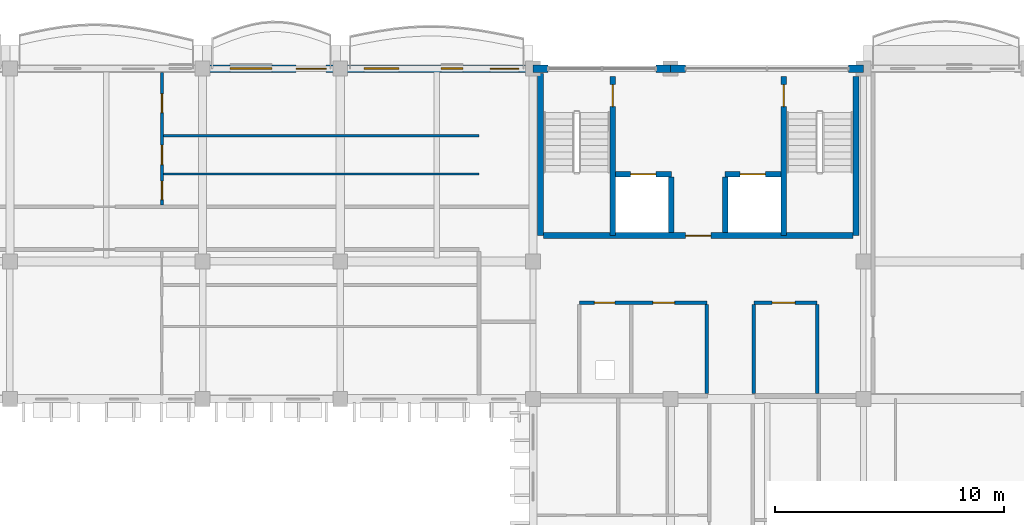
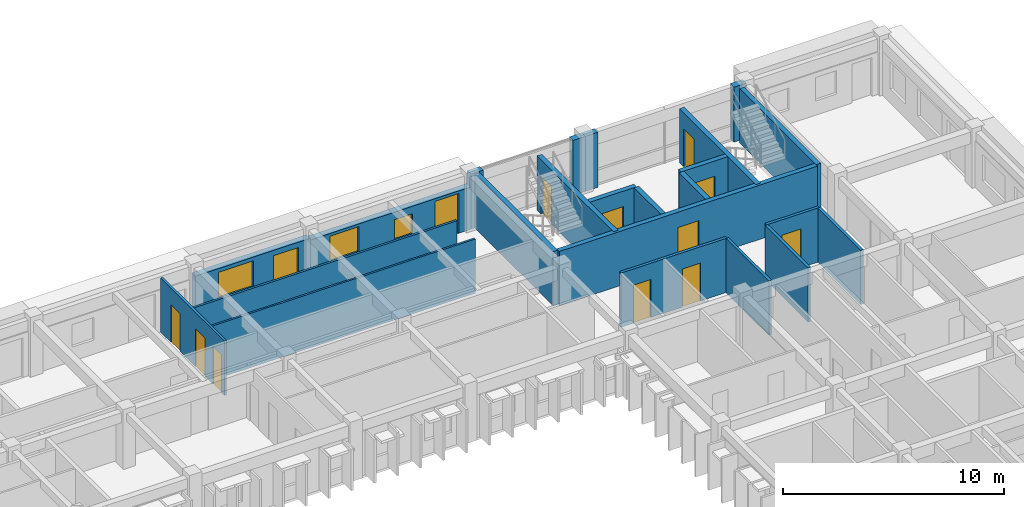
# One storey, part 38 of 70: 23 walls, 13 doors, 3 windows, 16 openings.
"""IFC4 building model written with IfcOpenShell, lengths in metres."""

from ifc_helpers import new_model, si_unit, direction, frame, frame_2d, origin, place, context, subcontext, project, spatial, rectangle, extrude, material, layer, layer_set, type_object, element, fill, save


model = new_model("IFC4")

# Units and contexts
model_context = context("Model", 3, precision=1e-05, world=origin(), true_north=direction((0.0, 1.0)))
body_context = subcontext(model_context, "Body", "Model", "MODEL_VIEW")
ifc_project = project(units=[si_unit("LENGTHUNIT", "METRE"), si_unit("AREAUNIT", "SQUARE_METRE"), si_unit("VOLUMEUNIT", "CUBIC_METRE"), si_unit("PLANEANGLEUNIT", "RADIAN"), si_unit("MASSUNIT", "GRAM", prefix="KILO"), si_unit("THERMODYNAMICTEMPERATUREUNIT", "KELVIN")], contexts=[model_context])

# Site, building, storey
site_placement = place(None, origin())
site = spatial("IfcSite", under=ifc_project, at=site_placement, CompositionType="ELEMENT")
building_placement = place(site_placement, origin())
building = spatial("IfcBuilding", under=site, at=building_placement, Name="Thalorik Housing Commons", CompositionType="ELEMENT")
storey_placement = place(building_placement, frame((0.0, 0.0, 14.699951171875)))
storey = spatial("IfcBuildingStorey", under=building, at=storey_placement, Name="L04", CompositionType="ELEMENT", Elevation=14.699951171875)

# Wall, opening, door
ifc_material_1 = material(Name="Concrete C40/50", Category="concrete")
ifc_layer_1 = layer(ifc_material_1, 0.25, Name="Concrete C40/50", Category="concrete")
ifc_layer_set_1 = layer_set([ifc_layer_1], Name="Concrete C40/50")
wall_type_1 = type_object("IfcWallType", Name="ARC-WAL-CORE-250", PredefinedType="SHEAR", material=ifc_layer_set_1)
wall_1_placement = place(storey_placement, frame((155.875, 123.25, 0.0), z_axis=(0.0, 0.0, 1.0), x_axis=(0.0, -1.0, 0.0)))
wall_1 = element("IfcWall", 1, at=wall_1_placement, inside=storey, type_object=wall_type_1, Name="L04 Core B Stair 1 Shear Wall", PredefinedType="SHEAR", context=body_context, shape_type="SweptSolid", body=[
    extrude(rectangle(XDim=6.925048828125, YDim=0.25, at=frame_2d((3.46240234375, 0.0))), origin(), (0.0, 0.0, 1.0), 3.0),
])
opening_1_placement = place(wall_1_placement, frame((0.35009765625, 0.0, 0.0)))
opening_1 = element("IfcOpeningElement", 2, at=opening_1_placement, cuts=wall_1, Name="Opening ID-0177", PredefinedType="OPENING", context=body_context, shape_type="SweptSolid", body=[
    extrude(rectangle(XDim=0.949951171875, YDim=2.10009765625, at=frame_2d((0.47509765625, 1.050048828125))), frame((0.0, 0.135009765625, 0.0), z_axis=(0.0, -1.0, 0.0), x_axis=(1.0, 0.0, 0.0)), (0.0, 0.0, 1.0), 0.27001953125),
])
ifc_material_2 = material(Name="Steel S355", Category="steel")
door_type_1 = type_object("IfcDoorType", Name="ARC-DR-FD60-950", OperationType="NOTDEFINED", PredefinedType="DOOR", material=ifc_material_2)
door_1_placement = place(opening_1_placement, origin())
door_1 = element("IfcDoor", 3, at=door_1_placement, inside=storey, type_object=door_type_1, Name="L04 Stair ST-B1 Fire Door", OperationType="SINGLE_SWING_RIGHT", OverallHeight=2.10009765625, OverallWidth=0.949951171875, PredefinedType="DOOR", context=body_context, shape_type="SweptSolid", body=[
    extrude(rectangle(XDim=0.949951171875, YDim=2.10009765625, at=frame_2d((0.47509765625, 1.050048828125))), frame((0.0, 0.02490234375, 0.0), z_axis=(0.0, -1.0, 0.0), x_axis=(1.0, 0.0, 0.0)), (0.0, 0.0, 1.0), 0.050048828125),
])
fill(opening_1, door_1)

# Walls
wall_2_placement = place(storey_placement, frame((152.72509765625, 123.39990234375, 0.0), z_axis=(0.0, 0.0, 1.0), x_axis=(0.0, -1.0, 0.0)))
element("IfcWall", 4, at=wall_2_placement, inside=storey, type_object=wall_type_1, Name="L04 Core B Stair 1 Outer Shear Wall", PredefinedType="SHEAR", context=body_context, shape_type="SweptSolid", body=[
    extrude(rectangle(XDim=7.074951171875, YDim=0.25, at=frame_2d((3.53759765625, 0.0))), origin(), (0.0, 0.0, 1.0), 3.0),
])
wall_3_placement = place(storey_placement, frame((166.47509765625, 123.25, 0.0), z_axis=(0.0, 0.0, 1.0), x_axis=(0.0, -1.0, 0.0)))
element("IfcWall", 5, at=wall_3_placement, inside=storey, type_object=wall_type_1, Name="L04 Core B Stair 2 Outer Shear Wall", PredefinedType="SHEAR", context=body_context, shape_type="SweptSolid", body=[
    extrude(rectangle(XDim=6.925048828125, YDim=0.25, at=frame_2d((3.46240234375, 0.0))), origin(), (0.0, 0.0, 1.0), 3.0),
])

# Wall, opening, door
wall_4_placement = place(storey_placement, frame((163.324951171875, 123.25, 0.0), z_axis=(0.0, 0.0, 1.0), x_axis=(0.0, -1.0, 0.0)))
wall_4 = element("IfcWall", 6, at=wall_4_placement, inside=storey, type_object=wall_type_1, Name="L04 Core B Stair 2 Shear Wall", PredefinedType="SHEAR", context=body_context, shape_type="SweptSolid", body=[
    extrude(rectangle(XDim=6.925048828125, YDim=0.25, at=frame_2d((3.46240234375, 0.0))), origin(), (0.0, 0.0, 1.0), 3.0),
])
opening_2_placement = place(wall_4_placement, frame((0.35009765625, 0.0, 0.0)))
opening_2 = element("IfcOpeningElement", 7, at=opening_2_placement, cuts=wall_4, Name="Opening ID-0178", PredefinedType="OPENING", context=body_context, shape_type="SweptSolid", body=[
    extrude(rectangle(XDim=0.949951171875, YDim=2.10009765625, at=frame_2d((0.47509765625, 1.050048828125))), frame((0.0, 0.135009765625, 0.0), z_axis=(0.0, -1.0, 0.0), x_axis=(1.0, 0.0, 0.0)), (0.0, 0.0, 1.0), 0.27001953125),
])
door_2_placement = place(opening_2_placement, origin())
door_2 = element("IfcDoor", 8, at=door_2_placement, inside=storey, type_object=door_type_1, Name="L04 Stair ST-B2 Fire Door", OperationType="SINGLE_SWING_LEFT", OverallHeight=2.10009765625, OverallWidth=0.949951171875, PredefinedType="DOOR", context=body_context, shape_type="SweptSolid", body=[
    extrude(rectangle(XDim=0.949951171875, YDim=2.10009765625, at=frame_2d((0.47509765625, 1.050048828125))), frame((0.0, 0.02490234375, 0.0), z_axis=(0.0, -1.0, 0.0), x_axis=(1.0, 0.0, 0.0)), (0.0, 0.0, 1.0), 0.050048828125),
])
fill(opening_2, door_2)

wall_5_placement = place(storey_placement, frame((156.0, 119.0, 0.0), z_axis=(0.0, 0.0, 1.0), x_axis=(1.0, 0.0, 0.0)))
wall_5 = element("IfcWall", 9, at=wall_5_placement, inside=storey, type_object=wall_type_1, Name="L04 Lift LF-B1 Front Shaft Wall", PredefinedType="SHEAR", context=body_context, shape_type="SweptSolid", body=[
    extrude(rectangle(XDim=2.425048828125, YDim=0.25, at=frame_2d((1.21240234375, 0.0))), origin(), (0.0, 0.0, 1.0), 3.0),
])
opening_3_placement = place(wall_5_placement, frame((0.64990234375, 0.0, 0.0)))
opening_3 = element("IfcOpeningElement", 10, at=opening_3_placement, cuts=wall_5, Name="Opening LD-LF-B1-L04", PredefinedType="OPENING", context=body_context, shape_type="SweptSolid", body=[
    extrude(rectangle(XDim=1.10009765625, YDim=2.14990234375, at=frame_2d((0.550048828125, 1.074951171875))), frame((0.0, 0.135009765625, 0.0), z_axis=(0.0, -1.0, 0.0), x_axis=(1.0, 0.0, 0.0)), (0.0, 0.0, 1.0), 0.27001953125),
])
door_type_2 = type_object("IfcDoorType", Name="ARC-DR-LIFT-1100", OperationType="NOTDEFINED", PredefinedType="DOOR", material=ifc_material_2)
door_3_placement = place(opening_3_placement, origin())
door_3 = element("IfcDoor", 11, at=door_3_placement, inside=storey, type_object=door_type_2, Name="L04 Lift LF-B1 Landing Door", OperationType="SLIDING_TO_LEFT", OverallHeight=2.14990234375, OverallWidth=1.10009765625, PredefinedType="DOOR", context=body_context, shape_type="SweptSolid", body=[
    extrude(rectangle(XDim=1.10009765625, YDim=2.14990234375, at=frame_2d((0.550048828125, 1.074951171875))), frame((0.0, 0.02490234375, 0.0), z_axis=(0.0, -1.0, 0.0), x_axis=(1.0, 0.0, 0.0)), (0.0, 0.0, 1.0), 0.050048828125),
])
fill(opening_3, door_3)

wall_6_placement = place(storey_placement, frame((160.77490234375, 119.0, 0.0), z_axis=(0.0, 0.0, 1.0), x_axis=(1.0, 0.0, 0.0)))
wall_6 = element("IfcWall", 12, at=wall_6_placement, inside=storey, type_object=wall_type_1, Name="L04 Lift LP-B2 Front Shaft Wall", PredefinedType="SHEAR", context=body_context, shape_type="SweptSolid", body=[
    extrude(rectangle(XDim=2.425048828125, YDim=0.25, at=frame_2d((1.21240234375, 0.0))), origin(), (0.0, 0.0, 1.0), 3.0),
])
opening_4_placement = place(wall_6_placement, frame((0.64990234375, 0.0, 0.0)))
opening_4 = element("IfcOpeningElement", 13, at=opening_4_placement, cuts=wall_6, Name="Opening LD-LP-B2-L04", PredefinedType="OPENING", context=body_context, shape_type="SweptSolid", body=[
    extrude(rectangle(XDim=1.10009765625, YDim=2.14990234375, at=frame_2d((0.550048828125, 1.074951171875))), frame((0.0, 0.135009765625, 0.0), z_axis=(0.0, -1.0, 0.0), x_axis=(1.0, 0.0, 0.0)), (0.0, 0.0, 1.0), 0.27001953125),
])
door_4_placement = place(opening_4_placement, origin())
door_4 = element("IfcDoor", 14, at=door_4_placement, inside=storey, type_object=door_type_2, Name="L04 Lift LP-B2 Landing Door", OperationType="SLIDING_TO_LEFT", OverallHeight=2.14990234375, OverallWidth=1.10009765625, PredefinedType="DOOR", context=body_context, shape_type="SweptSolid", body=[
    extrude(rectangle(XDim=1.10009765625, YDim=2.14990234375, at=frame_2d((0.550048828125, 1.074951171875))), frame((0.0, 0.02490234375, 0.0), z_axis=(0.0, -1.0, 0.0), x_axis=(1.0, 0.0, 0.0)), (0.0, 0.0, 1.0), 0.050048828125),
])
fill(opening_4, door_4)

# Walls
for number, where, z_axis, x_axis, name in (
    (15, (158.425048828125, 118.875, 0.0), (0.0, 0.0, 1.0), (0.0, -1.0, 0.0), "L04 Lift 1 Cheek Wall"),
    (16, (160.77490234375, 118.875, 0.0), (0.0, 0.0, 1.0), (0.0, -1.0, 0.0), "L04 Lift 2 Cheek Wall"),
):
    element("IfcWall", number, at=place(storey_placement, frame(where, z_axis=z_axis, x_axis=x_axis)), inside=storey, type_object=wall_type_1, Name=name, PredefinedType="SHEAR", context=body_context, shape_type="SweptSolid", body=[
        extrude(rectangle(XDim=2.425048828125, YDim=0.25, at=frame_2d((1.21240234375, 0.0))), origin(), (0.0, 0.0, 1.0), 3.0),
    ])

# Wall, opening, door
wall_7_placement = place(storey_placement, frame((152.85009765625, 116.324951171875, 0.0), z_axis=(0.0, 0.0, 1.0), x_axis=(1.0, 0.0, 0.0)))
wall_7 = element("IfcWall", 17, at=wall_7_placement, inside=storey, type_object=wall_type_1, Name="L04 Core B Spine Shear Wall", PredefinedType="SHEAR", context=body_context, shape_type="SweptSolid", body=[
    extrude(rectangle(XDim=13.5, YDim=0.25, at=frame_2d((6.75, 0.0))), origin(), (0.0, 0.0, 1.0), 3.0),
])
opening_5_placement = place(wall_7_placement, frame((6.199951171875, 0.0, 0.0)))
opening_5 = element("IfcOpeningElement", 18, at=opening_5_placement, cuts=wall_7, Name="Opening ID-0181", PredefinedType="OPENING", context=body_context, shape_type="SweptSolid", body=[
    extrude(rectangle(XDim=1.10009765625, YDim=2.14990234375, at=frame_2d((0.550048828125, 1.074951171875))), frame((0.0, 0.135009765625, 0.0), z_axis=(0.0, -1.0, 0.0), x_axis=(1.0, 0.0, 0.0)), (0.0, 0.0, 1.0), 0.27001953125),
])
door_type_3 = type_object("IfcDoorType", Name="ARC-DR-FD60-1100", OperationType="NOTDEFINED", PredefinedType="DOOR", material=ifc_material_2)
door_5_placement = place(opening_5_placement, origin())
door_5 = element("IfcDoor", 19, at=door_5_placement, inside=storey, type_object=door_type_3, Name="L04 Core B Lobby Fire Door", OperationType="SINGLE_SWING_RIGHT", OverallHeight=2.14990234375, OverallWidth=1.10009765625, PredefinedType="DOOR", context=body_context, shape_type="SweptSolid", body=[
    extrude(rectangle(XDim=1.10009765625, YDim=2.14990234375, at=frame_2d((0.550048828125, 1.074951171875))), frame((0.0, 0.02490234375, 0.0), z_axis=(0.0, -1.0, 0.0), x_axis=(1.0, 0.0, 0.0)), (0.0, 0.0, 1.0), 0.050048828125),
])
fill(opening_5, door_5)

# Walls
ifc_material_3 = material(Name="White precast concrete C40/50", Category="concrete")
ifc_layer_2 = layer(ifc_material_3, 0.3349609375, Name="White precast concrete C40/50", Category="concrete")
ifc_layer_set_2 = layer_set([ifc_layer_2], Name="White precast concrete C40/50")
wall_type_2 = type_object("IfcWallType", Name="ARC-WAL-EXT-335", PredefinedType="STANDARD", material=ifc_layer_set_2)
for number, where, z_axis, x_axis, name in (
    (20, (166.800048828125, 123.60009765625, 0.0), (0.0, 0.0, 1.0), (-1.0, 0.0, 0.0), "L04 Exterior Wall WAL-PIERL-L04-B-0524"),
    (21, (159.050048828125, 123.60009765625, 0.0), (0.0, 0.0, 1.0), (-1.0, 0.0, 0.0), "L04 Exterior Wall WAL-PIERR-L04-B-0524"),
):
    element("IfcWall", number, at=place(storey_placement, frame(where, z_axis=z_axis, x_axis=x_axis)), inside=storey, type_object=wall_type_2, Name=name, PredefinedType="STANDARD", context=body_context, shape_type="SweptSolid", body=[
        extrude(rectangle(XDim=0.650146484375, YDim=0.3349609375, at=frame_2d((0.3251953125, 0.0))), origin(), (0.0, 0.0, 1.0), 3.0400390625),
    ])
wall_8_placement = place(storey_placement, frame((158.39990234375, 123.60009765625, 0.0), z_axis=(0.0, 0.0, 1.0), x_axis=(-1.0, 0.0, 0.0)))
element("IfcWall", 22, at=wall_8_placement, inside=storey, type_object=wall_type_2, Name="L04 Exterior Wall WAL-PIERL-L04-B-0525", PredefinedType="STANDARD", context=body_context, shape_type="SweptSolid", body=[
    extrude(rectangle(XDim=0.64990234375, YDim=0.3349609375, at=frame_2d((0.324951171875, 0.0))), origin(), (0.0, 0.0, 1.0), 3.0400390625),
])
wall_9_placement = place(storey_placement, frame((153.050048828125, 123.60009765625, 0.0), z_axis=(0.0, 0.0, 1.0), x_axis=(-1.0, 0.0, 0.0)))
element("IfcWall", 23, at=wall_9_placement, inside=storey, type_object=wall_type_2, Name="L04 Exterior Wall WAL-PIERR-L04-B-0525", PredefinedType="STANDARD", context=body_context, shape_type="SweptSolid", body=[
    extrude(rectangle(XDim=0.650146484375, YDim=0.3349609375, at=frame_2d((0.3251953125, 0.0))), origin(), (0.0, 0.0, 1.0), 3.0400390625),
])

# Wall, openings, door, windows
wall_10_placement = place(storey_placement, frame((152.39990234375, 123.60009765625, 0.0), z_axis=(0.0, 0.0, 1.0), x_axis=(-1.0, 0.0, 0.0)))
wall_10 = element("IfcWall", 24, at=wall_10_placement, inside=storey, type_object=wall_type_2, Name="L04 Exterior Wall WAL-EXT-L04-B-0526", PredefinedType="STANDARD", context=body_context, shape_type="SweptSolid", body=[
    extrude(rectangle(XDim=8.39990234375, YDim=0.3349609375, at=frame_2d((4.199951171875, 0.0))), origin(), (0.0, 0.0, 1.0), 2.344970703125),
])
opening_6_placement = place(wall_10_placement, frame((0.6201171875, 0.0, 0.0)))
opening_6 = element("IfcOpeningElement", 25, at=opening_6_placement, cuts=wall_10, Name="Opening ED-0160", PredefinedType="OPENING", context=body_context, shape_type="SweptSolid", body=[
    extrude(rectangle(XDim=1.25, YDim=2.199951171875, at=frame_2d((0.625, 1.10009765625))), frame((0.0, 0.177490234375, 0.0), z_axis=(0.0, -1.0, 0.0), x_axis=(1.0, 0.0, 0.0)), (0.0, 0.0, 1.0), 0.35498046875),
])
opening_7_placement = place(wall_10_placement, frame((3.052490234375, 0.0, 0.780029296875)))
opening_7 = element("IfcOpeningElement", 26, at=opening_7_placement, cuts=wall_10, Name="Opening W-43", PredefinedType="OPENING", context=body_context, shape_type="SweptSolid", body=[
    extrude(rectangle(XDim=0.949951171875, YDim=1.14990234375, at=frame_2d((0.47509765625, 0.574951171875))), frame((0.0, 0.177490234375, 0.0), z_axis=(0.0, -1.0, 0.0), x_axis=(1.0, 0.0, 0.0)), (0.0, 0.0, 1.0), 0.35498046875),
])
opening_8_placement = place(wall_10_placement, frame((5.842529296875, 0.0, 0.780029296875)))
opening_8 = element("IfcOpeningElement", 27, at=opening_8_placement, cuts=wall_10, Name="Opening W-52", PredefinedType="OPENING", context=body_context, shape_type="SweptSolid", body=[
    extrude(rectangle(XDim=1.52001953125, YDim=1.419921875, at=frame_2d((0.760009765625, 0.7099609375))), frame((0.0, 0.177490234375, 0.0), z_axis=(0.0, -1.0, 0.0), x_axis=(1.0, 0.0, 0.0)), (0.0, 0.0, 1.0), 0.35498046875),
])
ifc_material_4 = material(Name="Anodised aluminium and laminated safety glass", Category="aluminium")
door_type_4 = type_object("IfcDoorType", Name="ARC-DR-BAL-1250", OperationType="NOTDEFINED", PredefinedType="DOOR", material=ifc_material_4)
door_6_placement = place(opening_6_placement, frame((1.25, 0.0, 0.0), z_axis=(0.0, 0.0, 1.0), x_axis=(-1.0, 0.0, 0.0)))
door_6 = element("IfcDoor", 28, at=door_6_placement, inside=storey, type_object=door_type_4, Name="L04 Block B Balcony Glazed Door", OperationType="SINGLE_SWING_LEFT", OverallHeight=2.199951171875, OverallWidth=1.25, PredefinedType="DOOR", context=body_context, shape_type="SweptSolid", body=[
    extrude(rectangle(XDim=1.25, YDim=2.199951171875, at=frame_2d((0.625, 1.10009765625))), frame((0.0, 0.02490234375, 0.0), z_axis=(0.0, -1.0, 0.0), x_axis=(1.0, 0.0, 0.0)), (0.0, 0.0, 1.0), 0.050048828125),
])
fill(opening_6, door_6)
ifc_material_5 = material(Name="Anodised aluminium and solar-control low-E glass", Category="aluminium")
window_type_1 = type_object("IfcWindowType", Name="ARC-WIN-43", PartitioningType="SINGLE_PANEL", PredefinedType="WINDOW", material=ifc_material_5)
window_1_placement = place(opening_7_placement, origin())
window_1 = element("IfcWindow", 29, at=window_1_placement, inside=storey, type_object=window_type_1, Name="L04 Facade Window 944", OverallHeight=1.14990234375, OverallWidth=0.949951171875, PartitioningType="SINGLE_PANEL", PredefinedType="WINDOW", context=body_context, shape_type="SweptSolid", body=[
    extrude(rectangle(XDim=0.949951171875, YDim=1.14990234375, at=frame_2d((0.47509765625, 0.574951171875))), frame((0.0, 0.030029296875, 0.0), z_axis=(0.0, -1.0, 0.0), x_axis=(1.0, 0.0, 0.0)), (0.0, 0.0, 1.0), 0.06005859375),
])
fill(opening_7, window_1)
window_type_2 = type_object("IfcWindowType", Name="ARC-WIN-52", PartitioningType="SINGLE_PANEL", PredefinedType="WINDOW", material=ifc_material_5)
window_2_placement = place(opening_8_placement, origin())
window_2 = element("IfcWindow", 30, at=window_2_placement, inside=storey, type_object=window_type_2, Name="L04 Facade Window 945", OverallHeight=1.419921875, OverallWidth=1.52001953125, PartitioningType="SINGLE_PANEL", PredefinedType="WINDOW", context=body_context, shape_type="SweptSolid", body=[
    extrude(rectangle(XDim=1.52001953125, YDim=1.419921875, at=frame_2d((0.760009765625, 0.7099609375))), frame((0.0, 0.030029296875, 0.0), z_axis=(0.0, -1.0, 0.0), x_axis=(1.0, 0.0, 0.0)), (0.0, 0.0, 1.0), 0.06005859375),
])
fill(opening_8, window_2)

# Wall, openings, door, window
wall_11_placement = place(storey_placement, frame((144.0, 123.60009765625, 0.0), z_axis=(0.0, 0.0, 1.0), x_axis=(-1.0, 0.0, 0.0)))
wall_11 = element("IfcWall", 31, at=wall_11_placement, inside=storey, type_object=wall_type_2, Name="L04 Exterior Wall WAL-EXT-L04-B-0527", PredefinedType="STANDARD", context=body_context, shape_type="SweptSolid", body=[
    extrude(rectangle(XDim=6.0, YDim=0.3349609375, at=frame_2d((3.0, 0.0))), origin(), (0.0, 0.0, 1.0), 2.445068359375),
])
opening_9_placement = place(wall_11_placement, frame((0.6201171875, 0.0, 0.0)))
opening_9 = element("IfcOpeningElement", 32, at=opening_9_placement, cuts=wall_11, Name="Opening ED-0161", PredefinedType="OPENING", context=body_context, shape_type="SweptSolid", body=[
    extrude(rectangle(XDim=1.300048828125, YDim=2.14990234375, at=frame_2d((0.64990234375, 1.074951171875))), frame((0.0, 0.177490234375, 0.0), z_axis=(0.0, -1.0, 0.0), x_axis=(1.0, 0.0, 0.0)), (0.0, 0.0, 1.0), 0.35498046875),
])
opening_10_placement = place(wall_11_placement, frame((2.97998046875, 0.0, 0.780029296875)))
opening_10 = element("IfcOpeningElement", 33, at=opening_10_placement, cuts=wall_11, Name="Opening W-58", PredefinedType="OPENING", context=body_context, shape_type="SweptSolid", body=[
    extrude(rectangle(XDim=1.820068359375, YDim=1.4599609375, at=frame_2d((0.91015625, 0.72998046875))), frame((0.0, 0.177490234375, 0.0), z_axis=(0.0, -1.0, 0.0), x_axis=(1.0, 0.0, 0.0)), (0.0, 0.0, 1.0), 0.35498046875),
])
door_type_5 = type_object("IfcDoorType", Name="ARC-DR-BAL-1300", OperationType="NOTDEFINED", PredefinedType="DOOR", material=ifc_material_4)
door_7_placement = place(opening_9_placement, frame((1.300048828125, 0.0, 0.0), z_axis=(0.0, 0.0, 1.0), x_axis=(-1.0, 0.0, 0.0)))
door_7 = element("IfcDoor", 34, at=door_7_placement, inside=storey, type_object=door_type_5, Name="L04 Block B Balcony Glazed Door", OperationType="SINGLE_SWING_RIGHT", OverallHeight=2.14990234375, OverallWidth=1.300048828125, PredefinedType="DOOR", context=body_context, shape_type="SweptSolid", body=[
    extrude(rectangle(XDim=1.300048828125, YDim=2.14990234375, at=frame_2d((0.64990234375, 1.074951171875))), frame((0.0, 0.02490234375, 0.0), z_axis=(0.0, -1.0, 0.0), x_axis=(1.0, 0.0, 0.0)), (0.0, 0.0, 1.0), 0.050048828125),
])
fill(opening_9, door_7)
window_type_3 = type_object("IfcWindowType", Name="ARC-WIN-58", PartitioningType="DOUBLE_PANEL_VERTICAL", PredefinedType="WINDOW", material=ifc_material_5)
window_3_placement = place(opening_10_placement, origin())
window_3 = element("IfcWindow", 35, at=window_3_placement, inside=storey, type_object=window_type_3, Name="L04 Facade Window 946", OverallHeight=1.4599609375, OverallWidth=1.820068359375, PartitioningType="DOUBLE_PANEL_VERTICAL", PredefinedType="WINDOW", context=body_context, shape_type="SweptSolid", body=[
    extrude(rectangle(XDim=1.820068359375, YDim=1.4599609375, at=frame_2d((0.91015625, 0.72998046875))), frame((0.0, 0.030029296875, 0.0), z_axis=(0.0, -1.0, 0.0), x_axis=(1.0, 0.0, 0.0)), (0.0, 0.0, 1.0), 0.06005859375),
])
fill(opening_10, window_3)

# Walls
ifc_material_6 = material(Name="Gypsum light stud partition", Category="masonry")
ifc_layer_3 = layer(ifc_material_6, 0.10009765625, Name="Gypsum light stud partition", Category="masonry")
ifc_layer_set_3 = layer_set([ifc_layer_3], Name="Gypsum light stud partition")
wall_type_3 = type_object("IfcWallType", Name="ARC-WAL-PART-100", PredefinedType="PARTITIONING", material=ifc_layer_set_3)
wall_12_placement = place(storey_placement, frame((136.29638671875, 119.010498046875, 0.0), z_axis=(0.0, 0.0, 1.0), x_axis=(1.0, 0.0, 0.0)))
element("IfcWall", 36, at=wall_12_placement, inside=storey, type_object=wall_type_3, Name="L04 Unit 3B Wet Wall", PredefinedType="PARTITIONING", context=body_context, shape_type="SweptSolid", body=[
    extrude(rectangle(XDim=13.753662109375, YDim=0.10009765625, at=frame_2d((6.876953125, 0.0))), origin(), (0.0, 0.0, 1.0), 3.0),
])
ifc_material_7 = material(Name="Gypsum moisture-resistant partition", Category="masonry")
ifc_layer_4 = layer(ifc_material_7, 0.114990234375, Name="Gypsum moisture-resistant partition", Category="masonry")
ifc_layer_set_4 = layer_set([ifc_layer_4], Name="Gypsum moisture-resistant partition")
wall_type_4 = type_object("IfcWallType", Name="ARC-WAL-PART-115", PredefinedType="PARTITIONING", material=ifc_layer_set_4)
wall_13_placement = place(storey_placement, frame((136.29638671875, 120.67919921875, 0.0), z_axis=(0.0, 0.0, 1.0), x_axis=(1.0, 0.0, 0.0)))
element("IfcWall", 37, at=wall_13_placement, inside=storey, type_object=wall_type_4, Name="L04 Unit 3B Bedroom Partition", PredefinedType="PARTITIONING", context=body_context, shape_type="SweptSolid", body=[
    extrude(rectangle(XDim=13.753662109375, YDim=0.114990234375, at=frame_2d((6.876953125, 0.0))), origin(), (0.0, 0.0, 1.0), 3.0),
])

# Wall, openings, doors
ifc_material_8 = material(Name="Gypsum acoustic stud partition", Category="masonry")
ifc_layer_5 = layer(ifc_material_8, 0.125, Name="Gypsum acoustic stud partition", Category="masonry")
ifc_layer_set_5 = layer_set([ifc_layer_5], Name="Gypsum acoustic stud partition")
wall_type_5 = type_object("IfcWallType", Name="ARC-WAL-PART-125", PredefinedType="PARTITIONING", material=ifc_layer_set_5)
wall_14_placement = place(storey_placement, frame((136.23193359375, 117.656982421875, 0.0), z_axis=(0.0, 0.0, 1.0), x_axis=(0.0, 1.0, 0.0)))
wall_14 = element("IfcWall", 38, at=wall_14_placement, inside=storey, type_object=wall_type_5, Name="L04 Unit 3B Spine Partition", PredefinedType="PARTITIONING", context=body_context, shape_type="SweptSolid", body=[
    extrude(rectangle(XDim=5.7734375, YDim=0.125, at=frame_2d((2.88671875, 0.0))), origin(), (0.0, 0.0, 1.0), 3.0),
])
opening_11_placement = place(wall_14_placement, frame((0.23828125, 0.0, 0.0)))
opening_11 = element("IfcOpeningElement", 39, at=opening_11_placement, cuts=wall_14, Name="Opening ID-1138", PredefinedType="OPENING", context=body_context, shape_type="SweptSolid", body=[
    extrude(rectangle(XDim=0.800048828125, YDim=2.10009765625, at=frame_2d((0.39990234375, 1.050048828125))), frame((0.0, 0.072509765625, 0.0), z_axis=(0.0, -1.0, 0.0), x_axis=(1.0, 0.0, 0.0)), (0.0, 0.0, 1.0), 0.14501953125),
])
opening_12_placement = place(wall_14_placement, frame((1.7626953125, 0.0, 0.0)))
opening_12 = element("IfcOpeningElement", 40, at=opening_12_placement, cuts=wall_14, Name="Opening ID-1139", PredefinedType="OPENING", context=body_context, shape_type="SweptSolid", body=[
    extrude(rectangle(XDim=0.85009765625, YDim=2.10009765625, at=frame_2d((0.425048828125, 1.050048828125))), frame((0.0, 0.072509765625, 0.0), z_axis=(0.0, -1.0, 0.0), x_axis=(1.0, 0.0, 0.0)), (0.0, 0.0, 1.0), 0.14501953125),
])
opening_13_placement = place(wall_14_placement, frame((4.027587890625, 0.0, 0.0)))
opening_13 = element("IfcOpeningElement", 41, at=opening_13_placement, cuts=wall_14, Name="Opening ID-1140", PredefinedType="OPENING", context=body_context, shape_type="SweptSolid", body=[
    extrude(rectangle(XDim=0.820068359375, YDim=2.080078125, at=frame_2d((0.41015625, 1.0400390625))), frame((0.0, 0.072509765625, 0.0), z_axis=(0.0, -1.0, 0.0), x_axis=(1.0, 0.0, 0.0)), (0.0, 0.0, 1.0), 0.14501953125),
])
ifc_material_9 = material(Name="Moisture-resistant timber", Category="wood")
door_type_6 = type_object("IfcDoorType", Name="ARC-DR-INT-800", OperationType="NOTDEFINED", PredefinedType="DOOR", material=ifc_material_9)
door_8_placement = place(opening_11_placement, origin())
door_8 = element("IfcDoor", 42, at=door_8_placement, inside=storey, type_object=door_type_6, Name="L04 Accessible Bathroom Door", OperationType="SINGLE_SWING_LEFT", OverallHeight=2.10009765625, OverallWidth=0.800048828125, PredefinedType="DOOR", context=body_context, shape_type="SweptSolid", body=[
    extrude(rectangle(XDim=0.800048828125, YDim=2.10009765625, at=frame_2d((0.39990234375, 1.050048828125))), frame((0.0, 0.02490234375, 0.0), z_axis=(0.0, -1.0, 0.0), x_axis=(1.0, 0.0, 0.0)), (0.0, 0.0, 1.0), 0.050048828125),
])
fill(opening_11, door_8)
ifc_material_10 = material(Name="Engineered oak timber", Category="wood")
door_type_7 = type_object("IfcDoorType", Name="ARC-DR-INT-820", OperationType="NOTDEFINED", PredefinedType="DOOR", material=ifc_material_10)
door_9_placement = place(opening_13_placement, origin())
door_9 = element("IfcDoor", 43, at=door_9_placement, inside=storey, type_object=door_type_7, Name="L04 Double Bedroom Door", OperationType="SINGLE_SWING_LEFT", OverallHeight=2.080078125, OverallWidth=0.820068359375, PredefinedType="DOOR", context=body_context, shape_type="SweptSolid", body=[
    extrude(rectangle(XDim=0.820068359375, YDim=2.080078125, at=frame_2d((0.41015625, 1.0400390625))), frame((0.0, 0.02490234375, 0.0), z_axis=(0.0, -1.0, 0.0), x_axis=(1.0, 0.0, 0.0)), (0.0, 0.0, 1.0), 0.050048828125),
])
fill(opening_13, door_9)
door_type_8 = type_object("IfcDoorType", Name="ARC-DR-INT-850", OperationType="NOTDEFINED", PredefinedType="DOOR", material=ifc_material_10)
door_10_placement = place(opening_12_placement, origin())
door_10 = element("IfcDoor", 44, at=door_10_placement, inside=storey, type_object=door_type_8, Name="L04 Eat-In Kitchen Door", OperationType="SINGLE_SWING_RIGHT", OverallHeight=2.10009765625, OverallWidth=0.85009765625, PredefinedType="DOOR", context=body_context, shape_type="SweptSolid", body=[
    extrude(rectangle(XDim=0.85009765625, YDim=2.10009765625, at=frame_2d((0.425048828125, 1.050048828125))), frame((0.0, 0.02490234375, 0.0), z_axis=(0.0, -1.0, 0.0), x_axis=(1.0, 0.0, 0.0)), (0.0, 0.0, 1.0), 0.050048828125),
])
fill(opening_12, door_10)

# Walls
ifc_material_11 = material(Name="Ceramic masonry partition wall", Category="masonry")
ifc_layer_6 = layer(ifc_material_11, 0.14794921875, Name="Ceramic masonry partition wall", Category="masonry")
ifc_layer_set_6 = layer_set([ifc_layer_6], Name="Ceramic masonry partition wall")
wall_type_6 = type_object("IfcWallType", Name="ARC-WAL-PART-150", PredefinedType="PARTITIONING", material=ifc_layer_set_6)
wall_15_placement = place(storey_placement, frame((159.97509765625, 113.323974609375, 0.0), z_axis=(0.0, 0.0, 1.0), x_axis=(0.0, -1.0, 0.0)))
element("IfcWall", 45, at=wall_15_placement, inside=storey, type_object=wall_type_6, Name="Core Stem West Cheek Wall", PredefinedType="PARTITIONING", context=body_context, shape_type="SweptSolid", body=[
    extrude(rectangle(XDim=3.882080078125, YDim=0.14794921875, at=frame_2d((1.94091796875, 0.0))), origin(), (0.0, 0.0, 1.0), 3.0),
])
for number, where, z_axis, x_axis, name in (
    (46, (162.02490234375, 113.323974609375, 0.0), (0.0, 0.0, 1.0), (0.0, -1.0, 0.0), "Core Stem East Cheek Wall"),
    (47, (164.780029296875, 113.323974609375, 0.0), (0.0, 0.0, 1.0), (0.0, -1.0, 0.0), "Core East Enclosing Wall"),
):
    element("IfcWall", number, at=place(storey_placement, frame(where, z_axis=z_axis, x_axis=x_axis)), inside=storey, type_object=wall_type_6, Name=name, PredefinedType="PARTITIONING", context=body_context, shape_type="SweptSolid", body=[
        extrude(rectangle(XDim=3.8720703125, YDim=0.14794921875, at=frame_2d((1.93603515625, 0.0))), origin(), (0.0, 0.0, 1.0), 3.0),
    ])

# Wall, openings, doors
wall_16_placement = place(storey_placement, frame((154.419921875, 113.39990234375, 0.0), z_axis=(0.0, 0.0, 1.0), x_axis=(1.0, 0.0, 0.0)))
wall_16 = element("IfcWall", 48, at=wall_16_placement, inside=storey, type_object=wall_type_6, Name="L04 Core B West Corridor Partition", PredefinedType="PARTITIONING", context=body_context, shape_type="SweptSolid", body=[
    extrude(rectangle(XDim=5.55517578125, YDim=0.14794921875, at=frame_2d((2.777587890625, 0.0))), origin(), (0.0, 0.0, 1.0), 3.0),
])
opening_14_placement = place(wall_16_placement, frame((0.64990234375, 0.0, 0.0)))
opening_14 = element("IfcOpeningElement", 49, at=opening_14_placement, cuts=wall_16, Name="Opening ID-0182", PredefinedType="OPENING", context=body_context, shape_type="SweptSolid", body=[
    extrude(rectangle(XDim=0.89990234375, YDim=2.10009765625, at=frame_2d((0.449951171875, 1.050048828125))), frame((0.0, 0.083984375, 0.0), z_axis=(0.0, -1.0, 0.0), x_axis=(1.0, 0.0, 0.0)), (0.0, 0.0, 1.0), 0.16796875),
])
opening_15_placement = place(wall_16_placement, frame((3.199951171875, 0.0, 0.0)))
opening_15 = element("IfcOpeningElement", 50, at=opening_15_placement, cuts=wall_16, Name="Opening ID-0183", PredefinedType="OPENING", context=body_context, shape_type="SweptSolid", body=[
    extrude(rectangle(XDim=0.949951171875, YDim=2.10009765625, at=frame_2d((0.47509765625, 1.050048828125))), frame((0.0, 0.083984375, 0.0), z_axis=(0.0, -1.0, 0.0), x_axis=(1.0, 0.0, 0.0)), (0.0, 0.0, 1.0), 0.16796875),
])
door_type_9 = type_object("IfcDoorType", Name="ARC-DR-FD60-900", OperationType="NOTDEFINED", PredefinedType="DOOR", material=ifc_material_2)
door_11_placement = place(opening_14_placement, origin())
door_11 = element("IfcDoor", 51, at=door_11_placement, inside=storey, type_object=door_type_9, Name="Electrical Riser Door", OperationType="SINGLE_SWING_LEFT", OverallHeight=2.10009765625, OverallWidth=0.89990234375, PredefinedType="DOOR", context=body_context, shape_type="SweptSolid", body=[
    extrude(rectangle(XDim=0.89990234375, YDim=2.10009765625, at=frame_2d((0.449951171875, 1.050048828125))), frame((0.0, 0.02490234375, 0.0), z_axis=(0.0, -1.0, 0.0), x_axis=(1.0, 0.0, 0.0)), (0.0, 0.0, 1.0), 0.050048828125),
])
fill(opening_14, door_11)
door_type_10 = type_object("IfcDoorType", Name="ARC-DR-INT-950", OperationType="NOTDEFINED", PredefinedType="DOOR", material=ifc_material_10)
door_12_placement = place(opening_15_placement, origin())
door_12 = element("IfcDoor", 52, at=door_12_placement, inside=storey, type_object=door_type_10, Name="Accessible Bathroom Door", OperationType="SINGLE_SWING_RIGHT", OverallHeight=2.10009765625, OverallWidth=0.949951171875, PredefinedType="DOOR", context=body_context, shape_type="SweptSolid", body=[
    extrude(rectangle(XDim=0.949951171875, YDim=2.10009765625, at=frame_2d((0.47509765625, 1.050048828125))), frame((0.0, 0.02490234375, 0.0), z_axis=(0.0, -1.0, 0.0), x_axis=(1.0, 0.0, 0.0)), (0.0, 0.0, 1.0), 0.050048828125),
])
fill(opening_15, door_12)

# Wall, opening, door
wall_17_placement = place(storey_placement, frame((162.02490234375, 113.39990234375, 0.0), z_axis=(0.0, 0.0, 1.0), x_axis=(1.0, 0.0, 0.0)))
wall_17 = element("IfcWall", 53, at=wall_17_placement, inside=storey, type_object=wall_type_6, Name="L04 Core B East Corridor Partition", PredefinedType="PARTITIONING", context=body_context, shape_type="SweptSolid", body=[
    extrude(rectangle(XDim=2.755126953125, YDim=0.14794921875, at=frame_2d((1.37744140625, 0.0))), origin(), (0.0, 0.0, 1.0), 3.0),
])
opening_16_placement = place(wall_17_placement, frame((0.800048828125, 0.0, 0.0)))
opening_16 = element("IfcOpeningElement", 54, at=opening_16_placement, cuts=wall_17, Name="Opening ID-0184", PredefinedType="OPENING", context=body_context, shape_type="SweptSolid", body=[
    extrude(rectangle(XDim=1.0, YDim=2.14990234375, at=frame_2d((0.5, 1.074951171875))), frame((0.0, 0.083984375, 0.0), z_axis=(0.0, -1.0, 0.0), x_axis=(1.0, 0.0, 0.0)), (0.0, 0.0, 1.0), 0.16796875),
])
door_type_11 = type_object("IfcDoorType", Name="ARC-DR-FD60-1000", OperationType="NOTDEFINED", PredefinedType="DOOR", material=ifc_material_2)
door_13_placement = place(opening_16_placement, origin())
door_13 = element("IfcDoor", 55, at=door_13_placement, inside=storey, type_object=door_type_11, Name="Core Hub Room Door", OperationType="SINGLE_SWING_LEFT", OverallHeight=2.14990234375, OverallWidth=1.0, PredefinedType="DOOR", context=body_context, shape_type="SweptSolid", body=[
    extrude(rectangle(XDim=1.0, YDim=2.14990234375, at=frame_2d((0.5, 1.074951171875))), frame((0.0, 0.02490234375, 0.0), z_axis=(0.0, -1.0, 0.0), x_axis=(1.0, 0.0, 0.0)), (0.0, 0.0, 1.0), 0.050048828125),
])
fill(opening_16, door_13)

save(model, "model.ifc")
